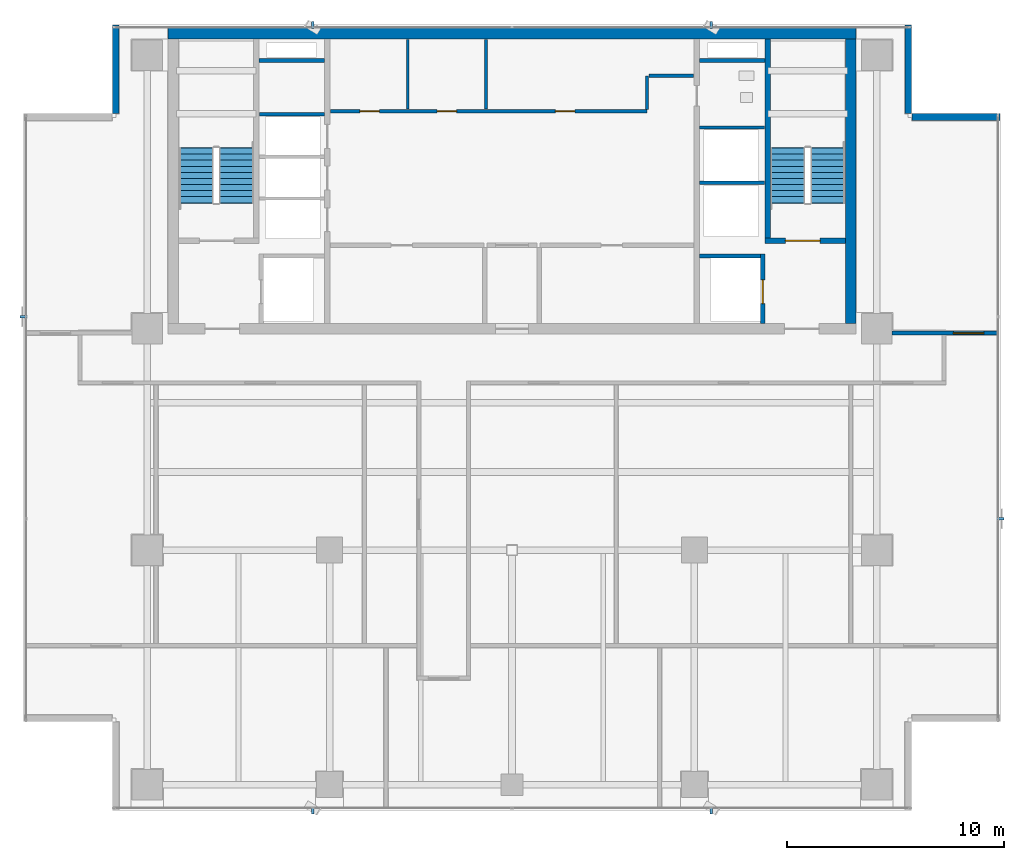
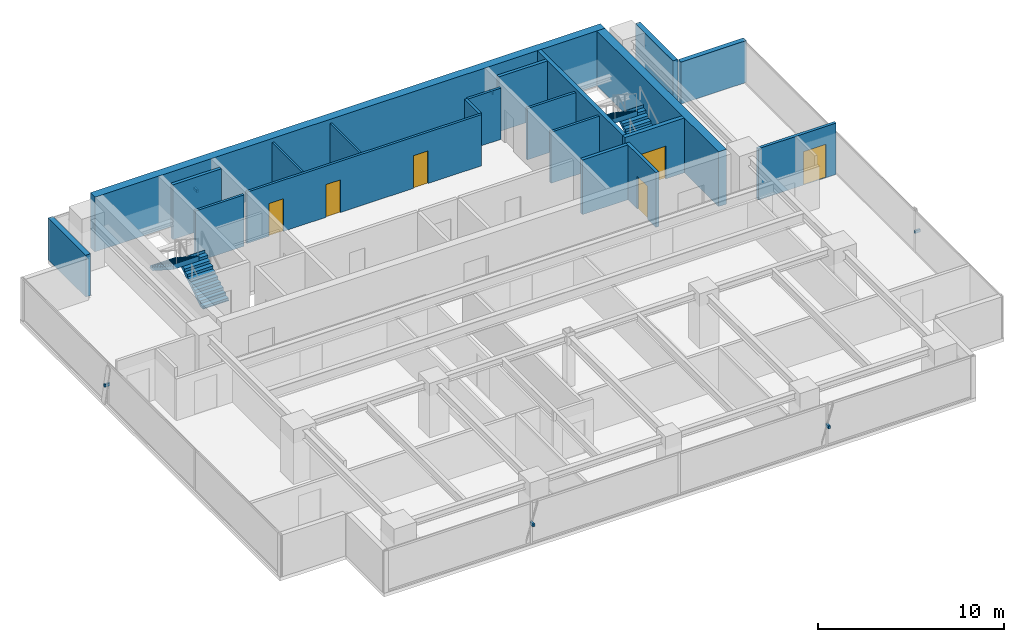
# One storey, part 21 of 26: 20 walls, 6 discrete accessories, 6 doors, 4 stair flights, 6 openings, 2 elements without a shape of their own.
"""IFC4 building model written with IfcOpenShell, lengths in metres."""

from ifc_helpers import new_model, si_unit, direction, frame, frame_2d, origin, origin_2d, place, context, subcontext, project, spatial, polyline, rectangle, outline, extrude, source, transform, mapped, material, layer, layer_set, material_profile, profile_set, type_object, element, fill, aggregate, save


model = new_model("IFC4")

# Units and contexts
model_context = context("Model", 3, precision=1e-05, world=origin(), true_north=direction((0.0, 1.0)))
body_context = subcontext(model_context, "Body", "Model", "MODEL_VIEW")
ifc_project = project(units=[si_unit("LENGTHUNIT", "METRE"), si_unit("AREAUNIT", "SQUARE_METRE"), si_unit("VOLUMEUNIT", "CUBIC_METRE"), si_unit("PLANEANGLEUNIT", "RADIAN"), si_unit("MASSUNIT", "GRAM", prefix="KILO")], contexts=[model_context])

# Site, building, storey
site_placement = place(None, origin())
site = spatial("IfcSite", under=ifc_project, at=site_placement, CompositionType="ELEMENT")
building_placement = place(site_placement, origin())
building = spatial("IfcBuilding", under=site, at=building_placement, Name="Sumidabori Civic Tower", CompositionType="ELEMENT")
storey_placement = place(building_placement, frame((0.0, 0.0, 264.800048828125)))
storey = spatial("IfcBuildingStorey", under=building, at=storey_placement, Name="L69", CompositionType="ELEMENT", Elevation=264.800048828125)

# Walls
ifc_material_1 = material(Name="Concrete C50/60", Category="concrete")
ifc_layer_1 = layer(ifc_material_1, 0.199951171875, Name="Concrete C50/60")
ifc_layer_set_1 = layer_set([ifc_layer_1], Name="Concrete C50/60")
wall_type_1 = type_object("IfcWallType", Name="WL-SHAFT-200", PredefinedType="SHEAR", material=ifc_layer_set_1)
shared_shape_1 = source(origin(), body_context, "Body", "SweptSolid", [
    extrude(rectangle(XDim=2.824951171875, YDim=0.199951171875, at=frame_2d((1.41259765625, 0.0))), origin(), (0.0, 0.0, 1.0), 3.599853515625),
])
wall_1_placement = place(storey_placement, frame((8.625, 13.550048828125, 0.0), z_axis=(0.0, 0.0, 1.0), x_axis=(1.0, 0.0, 0.0)))
element("IfcWall", 1, at=wall_1_placement, inside=storey, type_object=wall_type_1, Name="Core Shear Wall L69 EL2-N", PredefinedType="SHEAR", context=body_context, shape_type="MappedRepresentation", body=[
    mapped(shared_shape_1, transform((0.0, 0.0, 0.0), x_axis=(1.0, 0.0, 0.0), y_axis=(0.0, 1.0, 0.0), z_axis=(0.0, 0.0, 1.0), scale=1.0)),
])
shared_shape_2 = source(origin(), body_context, "Body", "SweptSolid", [
    extrude(rectangle(XDim=3.02001953125, YDim=0.199951171875, at=frame_2d((1.510009765625, 0.0))), origin(), (0.0, 0.0, 1.0), 3.599853515625),
])
for number, where, z_axis, x_axis, name in (
    (2, (-11.64501953125, 22.550048828125, 0.0), (0.0, 0.0, 1.0), (1.0, 0.0, 0.0), "Core Shear Wall L69 RIS1-S"),
    (3, (8.625, 22.550048828125, 0.0), (0.0, 0.0, 1.0), (1.0, 0.0, 0.0), "Core Shear Wall L69 RIS2-S"),
):
    element("IfcWall", number, at=place(storey_placement, frame(where, z_axis=z_axis, x_axis=x_axis)), inside=storey, type_object=wall_type_1, Name=name, PredefinedType="SHEAR", context=body_context, shape_type="MappedRepresentation", body=[
        mapped(shared_shape_2, transform((0.0, 0.0, 0.0), x_axis=(1.0, 0.0, 0.0), y_axis=(0.0, 1.0, 0.0), z_axis=(0.0, 0.0, 1.0), scale=1.0)),
    ])
ifc_layer_2 = layer(ifc_material_1, 0.5, Name="Concrete C50/60")
ifc_layer_set_2 = layer_set([ifc_layer_2], Name="Concrete C50/60")
wall_type_2 = type_object("IfcWallType", Name="WL-CORE-500", PredefinedType="SHEAR", material=ifc_layer_set_2)
shared_shape_3 = source(origin(), body_context, "Body", "SweptSolid", [
    extrude(rectangle(XDim=31.7001953125, YDim=0.5, at=frame_2d((15.85009765625, 0.0))), origin(), (0.0, 0.0, 1.0), 3.599853515625),
])
wall_2_placement = place(storey_placement, frame((-15.85009765625, 23.800048828125, 0.0), z_axis=(0.0, 0.0, 1.0), x_axis=(1.0, 0.0, 0.0)))
element("IfcWall", 4, at=wall_2_placement, inside=storey, type_object=wall_type_2, Name="Core Shear Wall L69 N", PredefinedType="SHEAR", context=body_context, shape_type="MappedRepresentation", body=[
    mapped(shared_shape_3, transform((0.0, 0.0, 0.0), x_axis=(1.0, 0.0, 0.0), y_axis=(0.0, 1.0, 0.0), z_axis=(0.0, 0.0, 1.0), scale=1.0)),
])
shared_shape_4 = source(origin(), body_context, "Body", "SweptSolid", [
    extrude(rectangle(XDim=13.10009765625, YDim=0.5, at=frame_2d((6.550048828125, 0.0))), origin(), (0.0, 0.0, 1.0), 3.599853515625),
])
wall_3_placement = place(storey_placement, frame((15.60009765625, 10.449951171875, 0.0), z_axis=(0.0, 0.0, 1.0), x_axis=(0.0, 1.0, 0.0)))
element("IfcWall", 5, at=wall_3_placement, inside=storey, type_object=wall_type_2, Name="Core Shear Wall L69 E", PredefinedType="SHEAR", context=body_context, shape_type="MappedRepresentation", body=[
    mapped(shared_shape_4, transform((0.0, 0.0, 0.0), x_axis=(1.0, 0.0, 0.0), y_axis=(0.0, 1.0, 0.0), z_axis=(0.0, 0.0, 1.0), scale=1.0)),
])

# Wall, opening, door
ifc_layer_3 = layer(ifc_material_1, 0.25, Name="Concrete C50/60")
ifc_layer_set_3 = layer_set([ifc_layer_3], Name="Concrete C50/60")
wall_type_3 = type_object("IfcWallType", Name="WL-SHAFT-250", PredefinedType="SHEAR", material=ifc_layer_set_3)
shared_shape_5 = source(origin(), body_context, "Body", "SweptSolid", [
    extrude(rectangle(XDim=3.705078125, YDim=0.25, at=frame_2d((1.8525390625, 0.0))), origin(), (0.0, 0.0, 1.0), 3.599853515625),
])
wall_4_placement = place(storey_placement, frame((11.64501953125, 14.25, 0.0), z_axis=(0.0, 0.0, 1.0), x_axis=(1.0, 0.0, 0.0)))
wall_4 = element("IfcWall", 6, at=wall_4_placement, inside=storey, type_object=wall_type_3, Name="Core Shear Wall L69 ST2-S", PredefinedType="SHEAR", context=body_context, shape_type="MappedRepresentation", body=[
    mapped(shared_shape_5, transform((0.0, 0.0, 0.0), x_axis=(1.0, 0.0, 0.0), y_axis=(0.0, 1.0, 0.0), z_axis=(0.0, 0.0, 1.0), scale=1.0)),
])
opening_1_placement = place(wall_4_placement, frame((0.949951171875, 0.0, 0.0)))
opening_1 = element("IfcOpeningElement", 7, at=opening_1_placement, cuts=wall_4, Name="Opening DR-FD4", PredefinedType="OPENING", context=body_context, shape_type="SweptSolid", body=[
    extrude(rectangle(XDim=1.60009765625, YDim=2.14990234375, at=frame_2d((0.800048828125, 1.074951171875))), frame((0.0, 0.136962890625, 0.0), z_axis=(0.0, -1.0, 0.0), x_axis=(1.0, 0.0, 0.0)), (0.0, 0.0, 1.0), 0.27392578125),
])
ifc_material_2 = material(Name="Steel SN490", Category="steel")
door_type_1 = type_object("IfcDoorType", Name="DR-FD4", OperationType="DOUBLE_DOOR_SINGLE_SWING", PredefinedType="DOOR", material=ifc_material_2)
shared_shape_6 = source(origin(), body_context, "Body", "SweptSolid", [
    extrude(rectangle(XDim=1.60009765625, YDim=2.14990234375, at=frame_2d((0.800048828125, 1.074951171875))), frame((0.0, 0.02490234375, 0.0), z_axis=(0.0, -1.0, 0.0), x_axis=(1.0, 0.0, 0.0)), (0.0, 0.0, 1.0), 0.050048828125),
])
door_1_placement = place(opening_1_placement, origin())
door_1 = element("IfcDoor", 8, at=door_1_placement, inside=storey, type_object=door_type_1, Name="Door DR:L69:ST2", OperationType="DOUBLE_DOOR_SINGLE_SWING", OverallHeight=2.14990234375, OverallWidth=1.60009765625, PredefinedType="DOOR", context=body_context, shape_type="MappedRepresentation", body=[
    mapped(shared_shape_6, transform((0.0, 0.0, 0.0), x_axis=(1.0, 0.0, 0.0), y_axis=(0.0, 1.0, 0.0), z_axis=(0.0, 0.0, 1.0), scale=1.0)),
])
fill(opening_1, door_1)

# Wall
shared_shape_7 = source(origin(), body_context, "Body", "SweptSolid", [
    extrude(rectangle(XDim=9.175048828125, YDim=0.25, at=frame_2d((4.58740234375, 0.0))), origin(), (0.0, 0.0, 1.0), 3.599853515625),
])
wall_5_placement = place(storey_placement, frame((11.77001953125, 14.375, 0.0), z_axis=(0.0, 0.0, 1.0), x_axis=(0.0, 1.0, 0.0)))
element("IfcWall", 9, at=wall_5_placement, inside=storey, type_object=wall_type_3, Name="Core Shear Wall L69 ST2-W", PredefinedType="SHEAR", context=body_context, shape_type="MappedRepresentation", body=[
    mapped(shared_shape_7, transform((0.0, 0.0, 0.0), x_axis=(1.0, 0.0, 0.0), y_axis=(0.0, 1.0, 0.0), z_axis=(0.0, 0.0, 1.0), scale=1.0)),
])

# Wall, opening, door
shared_shape_8 = source(origin(), body_context, "Body", "SweptSolid", [
    extrude(rectangle(XDim=3.199951171875, YDim=0.199951171875, at=frame_2d((1.60009765625, 0.0))), origin(), (0.0, 0.0, 1.0), 3.599853515625),
])
wall_6_placement = place(storey_placement, frame((11.550048828125, 10.449951171875, 0.0), z_axis=(0.0, 0.0, 1.0), x_axis=(0.0, 1.0, 0.0)))
wall_6 = element("IfcWall", 10, at=wall_6_placement, inside=storey, type_object=wall_type_1, Name="Core Shear Wall L69 EL2-E", PredefinedType="SHEAR", context=body_context, shape_type="MappedRepresentation", body=[
    mapped(shared_shape_8, transform((0.0, 0.0, 0.0), x_axis=(1.0, 0.0, 0.0), y_axis=(0.0, 1.0, 0.0), z_axis=(0.0, 0.0, 1.0), scale=1.0)),
])
opening_2_placement = place(wall_6_placement, frame((0.89990234375, 0.0, 0.0)))
opening_2 = element("IfcOpeningElement", 11, at=opening_2_placement, cuts=wall_6, Name="Opening LD-2", PredefinedType="OPENING", context=body_context, shape_type="SweptSolid", body=[
    extrude(rectangle(XDim=1.10009765625, YDim=2.14990234375, at=frame_2d((0.550048828125, 1.074951171875))), frame((0.0, 0.11181640625, 0.0), z_axis=(0.0, -1.0, 0.0), x_axis=(1.0, 0.0, 0.0)), (0.0, 0.0, 1.0), 0.223876953125),
])
ifc_material_3 = material(Name="Stainless Steel Hairline Finish", Category="steel")
door_type_2 = type_object("IfcDoorType", Name="DR-LD2", OperationType="DOUBLE_DOOR_SLIDING", PredefinedType="DOOR", material=ifc_material_3)
shared_shape_9 = source(origin(), body_context, "Body", "SweptSolid", [
    extrude(rectangle(XDim=1.10009765625, YDim=2.14990234375, at=frame_2d((0.550048828125, 1.074951171875))), frame((0.0, 0.02490234375, 0.0), z_axis=(0.0, -1.0, 0.0), x_axis=(1.0, 0.0, 0.0)), (0.0, 0.0, 1.0), 0.050048828125),
])
door_2_placement = place(opening_2_placement, origin())
door_2 = element("IfcDoor", 12, at=door_2_placement, inside=storey, type_object=door_type_2, Name="Door DR:L69:LD-EL2", OperationType="DOUBLE_DOOR_SLIDING", OverallHeight=2.14990234375, OverallWidth=1.10009765625, PredefinedType="DOOR", context=body_context, shape_type="MappedRepresentation", body=[
    mapped(shared_shape_9, transform((0.0, 0.0, 0.0), x_axis=(1.0, 0.0, 0.0), y_axis=(0.0, 1.0, 0.0), z_axis=(0.0, 0.0, 1.0), scale=1.0)),
])
fill(opening_2, door_2)

# Walls
ifc_material_4 = material(Name="Precast concrete C40/50", Category="concrete")
ifc_layer_4 = layer(ifc_material_4, 0.300048828125, Name="Precast concrete C40/50")
ifc_layer_set_4 = layer_set([ifc_layer_4], Name="Precast concrete C40/50")
wall_type_4 = type_object("IfcWallType", Name="WL-EXT-POD300", PredefinedType="STANDARD", material=ifc_layer_set_4)
shared_shape_10 = source(origin(), body_context, "Body", "SweptSolid", [
    extrude(rectangle(XDim=4.06005859375, YDim=0.300048828125, at=frame_2d((2.030029296875, 0.0))), origin(), (0.0, 0.0, 1.0), 2.75),
])
wall_7_placement = place(storey_placement, frame((22.47998046875, 19.949951171875, 0.0), z_axis=(0.0, 0.0, 1.0), x_axis=(-1.0, 0.0, 0.0)))
element("IfcWall", 13, at=wall_7_placement, inside=storey, type_object=wall_type_4, Name="Notched Corner Spandrel Band L69-05", PredefinedType="STANDARD", context=body_context, shape_type="MappedRepresentation", body=[
    mapped(shared_shape_10, transform((0.0, 0.0, 0.0), x_axis=(1.0, 0.0, 0.0), y_axis=(0.0, 1.0, 0.0), z_axis=(0.0, 0.0, 1.0), scale=1.0)),
])
shared_shape_11 = source(origin(), body_context, "Body", "SweptSolid", [
    extrude(rectangle(XDim=4.059814453125, YDim=0.300048828125, at=frame_2d((2.02978515625, 0.0))), origin(), (0.0, 0.0, 1.0), 2.75),
])
for number, where, z_axis, x_axis, name in (
    (14, (18.25, 20.1201171875, 0.0), (0.0, 0.0, 1.0), (0.0, 1.0, 0.0), "Notched Corner Spandrel Band L69-06"),
    (15, (-18.25, 24.179931640625, 0.0), (0.0, 0.0, 1.0), (0.0, -1.0, 0.0), "Notched Corner Spandrel Band L69-08"),
):
    element("IfcWall", number, at=place(storey_placement, frame(where, z_axis=z_axis, x_axis=x_axis)), inside=storey, type_object=wall_type_4, Name=name, PredefinedType="STANDARD", context=body_context, shape_type="MappedRepresentation", body=[
        mapped(shared_shape_11, transform((0.0, 0.0, 0.0), x_axis=(1.0, 0.0, 0.0), y_axis=(0.0, 1.0, 0.0), z_axis=(0.0, 0.0, 1.0), scale=1.0)),
    ])
ifc_material_5 = material(Name="Gypsum Plasterboard Acoustic Partition")
ifc_layer_5 = layer(ifc_material_5, 0.14990234375, Name="Gypsum Plasterboard Acoustic Partition")
ifc_layer_set_5 = layer_set([ifc_layer_5], Name="Gypsum Plasterboard Acoustic Partition")
wall_type_5 = type_object("IfcWallType", Name="WL-PART-150", PredefinedType="PARTITIONING", material=ifc_layer_set_5)
shared_shape_12 = source(origin(), body_context, "Body", "SweptSolid", [
    extrude(rectangle(XDim=3.010009765625, YDim=0.14990234375, at=frame_2d((1.5048828125, 0.0))), origin(), (0.0, 0.0, 1.0), 3.369873046875),
])
for number, where, z_axis, x_axis, name in (
    (16, (-11.639892578125, 20.080078125, 0.0), (0.0, 0.0, 1.0), (1.0, 0.0, 0.0), "Interior Partition WL:L69:DIV-PLH3"),
    (17, (8.6298828125, 16.919921875, 0.0), (0.0, 0.0, 1.0), (1.0, 0.0, 0.0), "Interior Partition WL:L69:DIV-OBS1"),
    (18, (8.6298828125, 19.469970703125, 0.0), (0.0, 0.0, 1.0), (1.0, 0.0, 0.0), "Interior Partition WL:L69:DIV-OBS2"),
):
    element("IfcWall", number, at=place(storey_placement, frame(where, z_axis=z_axis, x_axis=x_axis)), inside=storey, type_object=wall_type_5, Name=name, PredefinedType="PARTITIONING", context=body_context, shape_type="MappedRepresentation", body=[
        mapped(shared_shape_12, transform((0.0, 0.0, 0.0), x_axis=(1.0, 0.0, 0.0), y_axis=(0.0, 1.0, 0.0), z_axis=(0.0, 0.0, 1.0), scale=1.0)),
    ])

# Wall, openings, doors
shared_shape_13 = source(origin(), body_context, "Body", "SweptSolid", [
    extrude(rectangle(XDim=14.590087890625, YDim=0.14990234375, at=frame_2d((7.294921875, 0.0))), origin(), (0.0, 0.0, 1.0), 3.369873046875),
])
wall_8_placement = place(storey_placement, frame((-8.3701171875, 20.219970703125, 0.0), z_axis=(0.0, 0.0, 1.0), x_axis=(1.0, 0.0, 0.0)))
wall_8 = element("IfcWall", 19, at=wall_8_placement, inside=storey, type_object=wall_type_5, Name="Interior Partition WL:L69:CBAND-M", PredefinedType="PARTITIONING", context=body_context, shape_type="MappedRepresentation", body=[
    mapped(shared_shape_13, transform((0.0, 0.0, 0.0), x_axis=(1.0, 0.0, 0.0), y_axis=(0.0, 1.0, 0.0), z_axis=(0.0, 0.0, 1.0), scale=1.0)),
])
opening_3_placement = place(wall_8_placement, frame((1.360107421875, 0.0, 0.0)))
opening_3 = element("IfcOpeningElement", 20, at=opening_3_placement, cuts=wall_8, Name="Opening DR-1", PredefinedType="OPENING", context=body_context, shape_type="SweptSolid", body=[
    extrude(rectangle(XDim=0.89990234375, YDim=2.14990234375, at=frame_2d((0.449951171875, 1.074951171875))), frame((0.0, 0.0869140625, 0.0), z_axis=(0.0, -1.0, 0.0), x_axis=(1.0, 0.0, 0.0)), (0.0, 0.0, 1.0), 0.173828125),
])
opening_4_placement = place(wall_8_placement, frame((4.919921875, 0.0, 0.0)))
opening_4 = element("IfcOpeningElement", 21, at=opening_4_placement, cuts=wall_8, Name="Opening DR-1", PredefinedType="OPENING", context=body_context, shape_type="SweptSolid", body=[
    extrude(rectangle(XDim=0.89990234375, YDim=2.14990234375, at=frame_2d((0.449951171875, 1.074951171875))), frame((0.0, 0.0869140625, 0.0), z_axis=(0.0, -1.0, 0.0), x_axis=(1.0, 0.0, 0.0)), (0.0, 0.0, 1.0), 0.173828125),
])
opening_5_placement = place(wall_8_placement, frame((10.3701171875, 0.0, 0.0)))
opening_5 = element("IfcOpeningElement", 22, at=opening_5_placement, cuts=wall_8, Name="Opening DR-1", PredefinedType="OPENING", context=body_context, shape_type="SweptSolid", body=[
    extrude(rectangle(XDim=0.89990234375, YDim=2.14990234375, at=frame_2d((0.449951171875, 1.074951171875))), frame((0.0, 0.0869140625, 0.0), z_axis=(0.0, -1.0, 0.0), x_axis=(1.0, 0.0, 0.0)), (0.0, 0.0, 1.0), 0.173828125),
])
ifc_material_6 = material(Name="Japanese Hinoki Timber", Category="wood")
door_type_3 = type_object("IfcDoorType", Name="DR-INT-900", OperationType="NOTDEFINED", PredefinedType="DOOR", material=ifc_material_6)
shared_shape_14 = source(origin(), body_context, "Body", "SweptSolid", [
    extrude(rectangle(XDim=0.89990234375, YDim=2.14990234375, at=frame_2d((0.449951171875, 1.074951171875))), frame((0.0, 0.02490234375, 0.0), z_axis=(0.0, -1.0, 0.0), x_axis=(1.0, 0.0, 0.0)), (0.0, 0.0, 1.0), 0.050048828125),
])
door_3_placement = place(opening_3_placement, origin())
door_3 = element("IfcDoor", 23, at=door_3_placement, inside=storey, type_object=door_type_3, Name="Door DR:L69:CB-1", OperationType="SINGLE_SWING_LEFT", OverallHeight=2.14990234375, OverallWidth=0.89990234375, PredefinedType="DOOR", context=body_context, shape_type="MappedRepresentation", body=[
    mapped(shared_shape_14, transform((0.0, 0.0, 0.0), x_axis=(1.0, 0.0, 0.0), y_axis=(0.0, 1.0, 0.0), z_axis=(0.0, 0.0, 1.0), scale=1.0)),
])
fill(opening_3, door_3)
door_4_placement = place(opening_4_placement, origin())
door_4 = element("IfcDoor", 24, at=door_4_placement, inside=storey, type_object=door_type_3, Name="Door DR:L69:CB-2", OperationType="SINGLE_SWING_RIGHT", OverallHeight=2.14990234375, OverallWidth=0.89990234375, PredefinedType="DOOR", context=body_context, shape_type="MappedRepresentation", body=[
    mapped(shared_shape_14, transform((0.0, 0.0, 0.0), x_axis=(1.0, 0.0, 0.0), y_axis=(0.0, 1.0, 0.0), z_axis=(0.0, 0.0, 1.0), scale=1.0)),
])
fill(opening_4, door_4)
door_5_placement = place(opening_5_placement, origin())
door_5 = element("IfcDoor", 25, at=door_5_placement, inside=storey, type_object=door_type_3, Name="Door DR:L69:CB-3", OperationType="SINGLE_SWING_LEFT", OverallHeight=2.14990234375, OverallWidth=0.89990234375, PredefinedType="DOOR", context=body_context, shape_type="MappedRepresentation", body=[
    mapped(shared_shape_14, transform((0.0, 0.0, 0.0), x_axis=(1.0, 0.0, 0.0), y_axis=(0.0, 1.0, 0.0), z_axis=(0.0, 0.0, 1.0), scale=1.0)),
])
fill(opening_5, door_5)

# Walls
shared_shape_15 = source(origin(), body_context, "Body", "SweptSolid", [
    extrude(rectangle(XDim=1.550048828125, YDim=0.14990234375, at=frame_2d((0.77490234375, 0.0))), origin(), (0.0, 0.0, 1.0), 3.369873046875),
])
wall_9_placement = place(storey_placement, frame((6.219970703125, 20.300048828125, 0.0), z_axis=(0.0, 0.0, 1.0), x_axis=(0.0, 1.0, 0.0)))
element("IfcWall", 26, at=wall_9_placement, inside=storey, type_object=wall_type_5, Name="Interior Partition WL:L69:CBAND-ME1", PredefinedType="PARTITIONING", context=body_context, shape_type="MappedRepresentation", body=[
    mapped(shared_shape_15, transform((0.0, 0.0, 0.0), x_axis=(1.0, 0.0, 0.0), y_axis=(0.0, 1.0, 0.0), z_axis=(0.0, 0.0, 1.0), scale=1.0)),
])
shared_shape_16 = source(origin(), body_context, "Body", "SweptSolid", [
    extrude(rectangle(XDim=2.070068359375, YDim=0.14990234375, at=frame_2d((1.03515625, 0.0))), origin(), (0.0, 0.0, 1.0), 3.369873046875),
])
wall_10_placement = place(storey_placement, frame((6.300048828125, 21.85009765625, 0.0), z_axis=(0.0, 0.0, 1.0), x_axis=(1.0, 0.0, 0.0)))
element("IfcWall", 27, at=wall_10_placement, inside=storey, type_object=wall_type_5, Name="Interior Partition WL:L69:CBAND-ME2", PredefinedType="PARTITIONING", context=body_context, shape_type="MappedRepresentation", body=[
    mapped(shared_shape_16, transform((0.0, 0.0, 0.0), x_axis=(1.0, 0.0, 0.0), y_axis=(0.0, 1.0, 0.0), z_axis=(0.0, 0.0, 1.0), scale=1.0)),
])
ifc_layer_6 = layer(ifc_material_5, 0.1201171875, Name="Gypsum Plasterboard Acoustic Partition")
ifc_layer_set_6 = layer_set([ifc_layer_6], Name="Gypsum Plasterboard Acoustic Partition")
wall_type_6 = type_object("IfcWallType", Name="WL-PART-120", PredefinedType="PARTITIONING", material=ifc_layer_set_6)
shared_shape_17 = source(origin(), body_context, "Body", "SweptSolid", [
    extrude(rectangle(XDim=3.18994140625, YDim=0.1201171875, at=frame_2d((1.594970703125, 0.0))), origin(), (0.0, 0.0, 1.0), 3.369873046875),
])
for number, where, z_axis, x_axis, name in (
    (28, (-4.800048828125, 20.320068359375, 0.0), (0.0, 0.0, 1.0), (0.0, 1.0, 0.0), "Interior Partition WL:L69:LV8-S1"),
    (29, (-1.199951171875, 20.320068359375, 0.0), (0.0, 0.0, 1.0), (0.0, 1.0, 0.0), "Interior Partition WL:L69:LV8-S2"),
):
    element("IfcWall", number, at=place(storey_placement, frame(where, z_axis=z_axis, x_axis=x_axis)), inside=storey, type_object=wall_type_6, Name=name, PredefinedType="PARTITIONING", context=body_context, shape_type="MappedRepresentation", body=[
        mapped(shared_shape_17, transform((0.0, 0.0, 0.0), x_axis=(1.0, 0.0, 0.0), y_axis=(0.0, 1.0, 0.0), z_axis=(0.0, 0.0, 1.0), scale=1.0)),
    ])

# Wall, opening, door
ifc_layer_7 = layer(ifc_material_5, 0.179931640625, Name="Gypsum Plasterboard Acoustic Partition")
ifc_layer_set_7 = layer_set([ifc_layer_7], Name="Gypsum Plasterboard Acoustic Partition")
wall_type_7 = type_object("IfcWallType", Name="WL-PART-180", PredefinedType="PARTITIONING", material=ifc_layer_set_7)
shared_shape_18 = source(origin(), body_context, "Body", "SweptSolid", [
    extrude(rectangle(XDim=4.840087890625, YDim=0.179931640625, at=frame_2d((2.419921875, 0.0))), origin(), (0.0, 0.0, 1.0), 3.369873046875),
])
wall_11_placement = place(storey_placement, frame((17.510009765625, 10.0, 0.0), z_axis=(0.0, 0.0, 1.0), x_axis=(1.0, 0.0, 0.0)))
wall_11 = element("IfcWall", 30, at=wall_11_placement, inside=storey, type_object=wall_type_7, Name="Interior Partition WL:L69:FLK-NE", PredefinedType="PARTITIONING", context=body_context, shape_type="MappedRepresentation", body=[
    mapped(shared_shape_18, transform((0.0, 0.0, 0.0), x_axis=(1.0, 0.0, 0.0), y_axis=(0.0, 1.0, 0.0), z_axis=(0.0, 0.0, 1.0), scale=1.0)),
])
opening_6_placement = place(wall_11_placement, frame((2.820068359375, 0.0, 0.0)))
opening_6 = element("IfcOpeningElement", 31, at=opening_6_placement, cuts=wall_11, Name="Opening DR-5", PredefinedType="OPENING", context=body_context, shape_type="SweptSolid", body=[
    extrude(rectangle(XDim=1.39990234375, YDim=2.199951171875, at=frame_2d((0.699951171875, 1.10009765625))), frame((0.0, 0.10205078125, 0.0), z_axis=(0.0, -1.0, 0.0), x_axis=(1.0, 0.0, 0.0)), (0.0, 0.0, 1.0), 0.203857421875),
])
ifc_material_7 = material(Name="Anodised Bronze Aluminium AW-6063-T6", Category="aluminium")
door_type_4 = type_object("IfcDoorType", Name="DR-DBL-1400", OperationType="DOUBLE_DOOR_SINGLE_SWING", PredefinedType="DOOR", material=ifc_material_7)
shared_shape_19 = source(origin(), body_context, "Body", "SweptSolid", [
    extrude(rectangle(XDim=1.39990234375, YDim=2.199951171875, at=frame_2d((0.699951171875, 1.10009765625))), frame((0.0, 0.02490234375, 0.0), z_axis=(0.0, -1.0, 0.0), x_axis=(1.0, 0.0, 0.0)), (0.0, 0.0, 1.0), 0.050048828125),
])
door_6_placement = place(opening_6_placement, origin())
door_6 = element("IfcDoor", 32, at=door_6_placement, inside=storey, type_object=door_type_4, Name="Door DR:L69:D09", OperationType="DOUBLE_DOOR_SINGLE_SWING", OverallHeight=2.199951171875, OverallWidth=1.39990234375, PredefinedType="DOOR", context=body_context, shape_type="MappedRepresentation", body=[
    mapped(shared_shape_19, transform((0.0, 0.0, 0.0), x_axis=(1.0, 0.0, 0.0), y_axis=(0.0, 1.0, 0.0), z_axis=(0.0, 0.0, 1.0), scale=1.0)),
])
fill(opening_6, door_6)

# Stair, stair flights
ifc_material_8 = material(Name="Concrete C40/50", Category="concrete")
stair_type = type_object("IfcStairType", Name="ST-CORE-1600", PredefinedType="HALF_TURN_STAIR", material=ifc_material_8)
stair_1_placement = place(storey_placement, origin())
stair_1 = element("IfcStair", 33, at=stair_1_placement, inside=storey, type_object=stair_type, Name="L69 ST-1", PredefinedType="HALF_TURN_STAIR")
stair_flight_type = type_object("IfcStairFlightType", Name="SF-CORE-1600", PredefinedType="STRAIGHT", material=ifc_material_8)
shared_shape_20 = source(origin(), body_context, "Body", "SweptSolid", [
    extrude(outline(polyline([(-0.02490234375, 0.0), (-0.02490234375, 0.0400390625), (0.0, 0.0400390625), (0.0, 0.179931640625), (0.280029296875, 0.179931640625), (0.280029296875, 0.360107421875), (0.56005859375, 0.360107421875), (0.56005859375, 0.5400390625), (0.840087890625, 0.5400390625), (0.840087890625, 0.719970703125), (1.1201171875, 0.719970703125), (1.1201171875, 0.89990234375), (1.39990234375, 0.89990234375), (1.39990234375, 1.080078125), (1.679931640625, 1.080078125), (1.679931640625, 1.260009765625), (1.9599609375, 1.260009765625), (1.9599609375, 1.43994140625), (2.239990234375, 1.43994140625), (2.239990234375, 1.6201171875), (2.52001953125, 1.6201171875), (2.52001953125, 1.800048828125), (2.544921875, 1.800048828125), (2.544921875, 1.650146484375), (2.52001953125, 1.44189453125), (0.277099609375, 0.0), (-0.02490234375, 0.0)])), frame((0.0, 0.800048828125, 0.0), z_axis=(0.0, -1.0, 0.0), x_axis=(1.0, 0.0, 0.0)), (0.0, 0.0, 1.0), 1.60009765625),
])
stair_flight_1_placement = place(storey_placement, frame((-12.699951171875, 16.0, 0.0), z_axis=(0.0, 0.0, 1.0), x_axis=(0.0, 1.0, 0.0)))
stair_flight_1 = element("IfcStairFlight", 34, at=stair_flight_1_placement, type_object=stair_flight_type, Name="ST-1 flight 1", NumberOfRisers=10, NumberOfTreads=9, PredefinedType="STRAIGHT", RiserHeight=0.18, TreadLength=0.28, context=body_context, shape_type="MappedRepresentation", body=[
    mapped(shared_shape_20, transform((0.0, 0.0, 0.0), x_axis=(1.0, 0.0, 0.0), y_axis=(0.0, 1.0, 0.0), z_axis=(0.0, 0.0, 1.0), scale=1.0)),
])
stair_flight_2_placement = place(storey_placement, frame((-14.5400390625, 18.52001953125, 1.800048828125), z_axis=(0.0, 0.0, 1.0), x_axis=(0.0, -1.0, 0.0)))
stair_flight_2 = element("IfcStairFlight", 35, at=stair_flight_2_placement, type_object=stair_flight_type, Name="ST-1 flight 2", NumberOfRisers=10, NumberOfTreads=9, PredefinedType="STRAIGHT", RiserHeight=0.18, TreadLength=0.28, context=body_context, shape_type="MappedRepresentation", body=[
    mapped(shared_shape_20, transform((0.0, 0.0, 0.0), x_axis=(1.0, 0.0, 0.0), y_axis=(0.0, 1.0, 0.0), z_axis=(0.0, 0.0, 1.0), scale=1.0)),
])
aggregate(stair_1, [stair_flight_1, stair_flight_2])

stair_2_placement = place(storey_placement, origin())
stair_2 = element("IfcStair", 36, at=stair_2_placement, inside=storey, type_object=stair_type, Name="L69 ST-2", PredefinedType="HALF_TURN_STAIR")
stair_flight_3_placement = place(storey_placement, frame((14.5400390625, 16.0, 0.0), z_axis=(0.0, 0.0, 1.0), x_axis=(0.0, 1.0, 0.0)))
stair_flight_3 = element("IfcStairFlight", 37, at=stair_flight_3_placement, type_object=stair_flight_type, Name="ST-2 flight 1", NumberOfRisers=10, NumberOfTreads=9, PredefinedType="STRAIGHT", RiserHeight=0.18, TreadLength=0.28, context=body_context, shape_type="MappedRepresentation", body=[
    mapped(shared_shape_20, transform((0.0, 0.0, 0.0), x_axis=(1.0, 0.0, 0.0), y_axis=(0.0, 1.0, 0.0), z_axis=(0.0, 0.0, 1.0), scale=1.0)),
])
stair_flight_4_placement = place(storey_placement, frame((12.699951171875, 18.52001953125, 1.800048828125), z_axis=(0.0, 0.0, 1.0), x_axis=(0.0, -1.0, 0.0)))
stair_flight_4 = element("IfcStairFlight", 38, at=stair_flight_4_placement, type_object=stair_flight_type, Name="ST-2 flight 2", NumberOfRisers=10, NumberOfTreads=9, PredefinedType="STRAIGHT", RiserHeight=0.18, TreadLength=0.28, context=body_context, shape_type="MappedRepresentation", body=[
    mapped(shared_shape_20, transform((0.0, 0.0, 0.0), x_axis=(1.0, 0.0, 0.0), y_axis=(0.0, 1.0, 0.0), z_axis=(0.0, 0.0, 1.0), scale=1.0)),
])
aggregate(stair_2, [stair_flight_3, stair_flight_4])

# Discrete accessories
ifc_material_profile = material_profile(ifc_material_3, rectangle(XDim=0.1201171875, YDim=0.179931640625, at=origin_2d()), Name="STEEL BRACKET 180x120")
ifc_profile_set = profile_set([ifc_material_profile], Name="Stainless Steel Hairline Finish")
discrete_accessory_type = type_object("IfcDiscreteAccessoryType", Name="AC-BRK-180", PredefinedType="BRACKET", material=ifc_profile_set)
shared_shape_21 = source(origin(), body_context, "Body", "SweptSolid", [
    extrude(rectangle(XDim=0.1201171875, YDim=0.179931640625, at=origin_2d()), origin(), (0.0, 0.0, 1.0), 0.329833984375),
])
for number, where, z_axis, x_axis, name in (
    (39, (-9.18505859375, -11.830078125, 1.364990234375), (0.0, -1.0, 0.0), (1.0, 0.0, 0.0), "Bronze Fin Fixing Bracket L69-01"),
    (40, (9.18505859375, -11.830078125, 1.364990234375), (0.0, -1.0, 0.0), (1.0, 0.0, 0.0), "Bronze Fin Fixing Bracket L69-03"),
    (41, (22.330078125, 1.443359375, 1.364990234375), (1.0, 0.0, 0.0), (0.0, 1.0, 0.0), "Bronze Fin Fixing Bracket L69-01"),
    (42, (-22.330078125, 10.756591796875, 1.364990234375), (-1.0, 0.0, 0.0), (0.0, -1.0, 0.0), "Bronze Fin Fixing Bracket L69-01"),
):
    element("IfcDiscreteAccessory", number, at=place(storey_placement, frame(where, z_axis=z_axis, x_axis=x_axis)), inside=storey, type_object=discrete_accessory_type, Name=name, PredefinedType="BRACKET", context=body_context, shape_type="MappedRepresentation", body=[
        mapped(shared_shape_21, transform((0.0, 0.0, 0.0), x_axis=(1.0, 0.0, 0.0), y_axis=(0.0, 1.0, 0.0), z_axis=(0.0, 0.0, 1.0), scale=1.0)),
    ])
shared_shape_22 = source(origin(), body_context, "Body", "SweptSolid", [
    extrude(rectangle(XDim=0.1201171875, YDim=0.179931640625, at=origin_2d()), origin(), (0.0, 0.0, 1.0), 0.330078125),
])
for number, where, z_axis, x_axis, name in (
    (43, (9.18505859375, 24.030029296875, 1.364990234375), (0.0, 1.0, 0.0), (-1.0, 0.0, 0.0), "Bronze Fin Fixing Bracket L69-01"),
    (44, (-9.18505859375, 24.030029296875, 1.364990234375), (0.0, 1.0, 0.0), (-1.0, 0.0, 0.0), "Bronze Fin Fixing Bracket L69-03"),
):
    element("IfcDiscreteAccessory", number, at=place(storey_placement, frame(where, z_axis=z_axis, x_axis=x_axis)), inside=storey, type_object=discrete_accessory_type, Name=name, PredefinedType="BRACKET", context=body_context, shape_type="MappedRepresentation", body=[
        mapped(shared_shape_22, transform((0.0, 0.0, 0.0), x_axis=(1.0, 0.0, 0.0), y_axis=(0.0, 1.0, 0.0), z_axis=(0.0, 0.0, 1.0), scale=1.0)),
    ])

save(model, "model.ifc")
